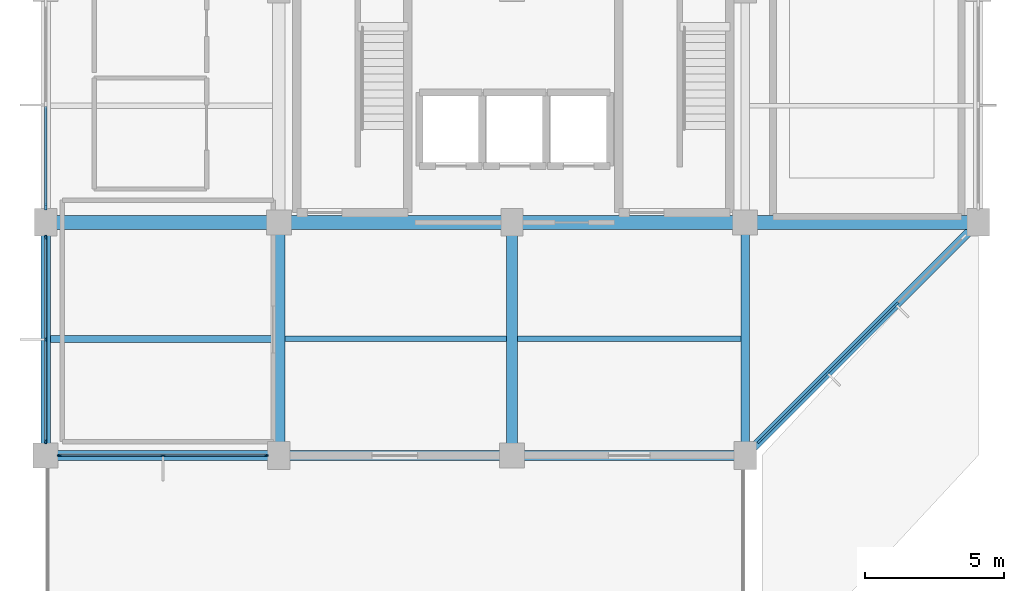
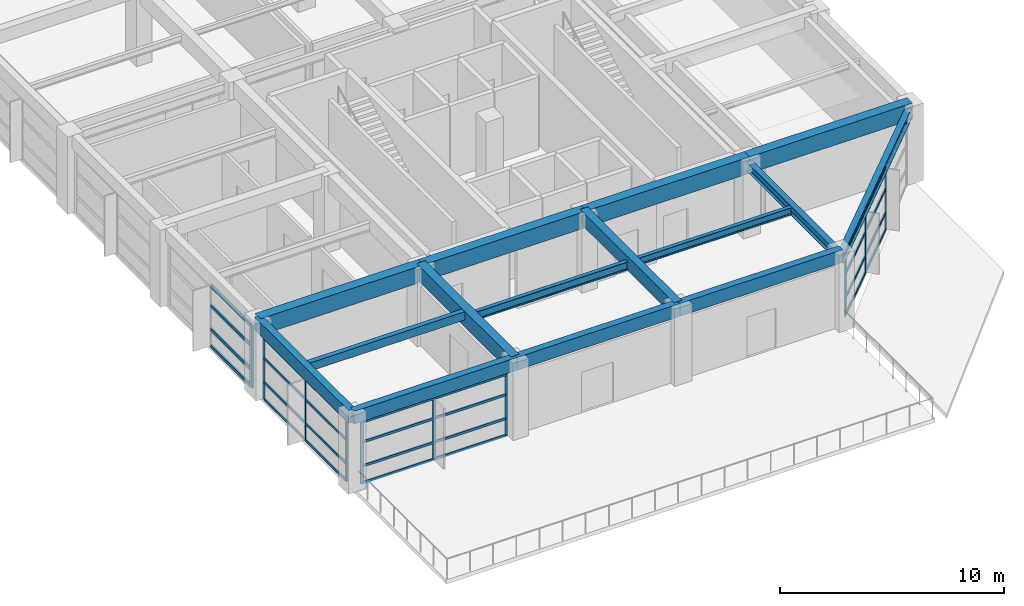
# One storey, part 2 of 11: 38 members, 15 beams, 4 elements without a shape of their own.
"""IFC4 building model written with IfcOpenShell, lengths in metres."""

from ifc_helpers import new_model, si_unit, direction, frame, origin, origin_2d, place, context, subcontext, project, spatial, rectangle, i_section, extrude, material, material_profile, profile_set, type_object, element, aggregate, save


model = new_model("IFC4")

# Units and contexts
model_context = context("Model", 3, precision=1e-05, world=origin(), true_north=direction((0.0, 1.0)))
body_context = subcontext(model_context, "Body", "Model", "MODEL_VIEW")
ifc_project = project(units=[si_unit("LENGTHUNIT", "METRE"), si_unit("AREAUNIT", "SQUARE_METRE"), si_unit("VOLUMEUNIT", "CUBIC_METRE"), si_unit("PLANEANGLEUNIT", "RADIAN"), si_unit("MASSUNIT", "GRAM", prefix="KILO")], contexts=[model_context])

# Site, building, storey
site_placement = place(None, origin())
site = spatial("IfcSite", under=ifc_project, at=site_placement, CompositionType="ELEMENT")
building_placement = place(site_placement, origin())
building = spatial("IfcBuilding", under=site, at=building_placement, Name="Xuanlan Plaza Opera House", CompositionType="ELEMENT")
storey_placement = place(building_placement, frame((0.0, 0.0, 57.300048828125)))
storey = spatial("IfcBuildingStorey", under=building, at=storey_placement, Name="L13", CompositionType="ELEMENT", Elevation=57.300048828125)

# Curtain wall, members
ifc_material_1 = material(Name="Anodised Aluminium 6063-T6 and Low-E Glass", Category="aluminium")
curtain_wall_type_1 = type_object("IfcCurtainWallType", Name="ENV-CW-CW-04", PredefinedType="USERDEFINED", material=ifc_material_1)
curtain_wall_1_placement = place(storey_placement, origin())
curtain_wall_1 = element("IfcCurtainWall", 1, at=curtain_wall_1_placement, inside=storey, type_object=curtain_wall_type_1, Name="Unitised Curtain Wall L13-001", ObjectType="UNITISED CURTAIN WALL", PredefinedType="USERDEFINED")
ifc_material_2 = material(Name="Anodised Aluminium 6063-T6", Category="aluminium")
ifc_material_profile_1 = material_profile(ifc_material_2, rectangle(XDim=0.06494140625, YDim=0.159912109375, at=origin_2d()), Name="ALU-M 65x160")
ifc_profile_set_1 = profile_set([ifc_material_profile_1], Name="Anodised Aluminium 6063-T6")
member_type_1 = type_object("IfcMemberType", Name="ENV-CWM-01", PredefinedType="MULLION", material=ifc_profile_set_1)
member_1_placement = place(storey_placement, frame((126.50244140625, 42.0, 0.0), z_axis=(0.0, 0.0, 1.0), x_axis=(0.0, 1.0, 0.0)))
member_1 = element("IfcMember", 2, at=member_1_placement, type_object=member_type_1, Name="CW-04 mullion 1", PredefinedType="MULLION", context=body_context, shape_type="SweptSolid", body=[
    extrude(rectangle(XDim=0.06494140625, YDim=0.159912109375, at=origin_2d()), origin(), (0.0, 0.0, 1.0), 3.3798828125),
])
member_2_placement = place(storey_placement, frame((130.22509765625, 42.0, 0.0), z_axis=(0.0, 0.0, 1.0), x_axis=(0.0, 1.0, 0.0)))
member_2 = element("IfcMember", 3, at=member_2_placement, type_object=member_type_1, Name="CW-04 mullion 2", PredefinedType="MULLION", context=body_context, shape_type="SweptSolid", body=[
    extrude(rectangle(XDim=0.06494140625, YDim=0.159912109375, at=origin_2d()), origin(), (0.0, 0.0, 1.0), 3.3798828125),
])
member_3_placement = place(storey_placement, frame((133.947509765625, 42.0, 0.0), z_axis=(0.0, 0.0, 1.0), x_axis=(0.0, 1.0, 0.0)))
member_3 = element("IfcMember", 4, at=member_3_placement, type_object=member_type_1, Name="CW-04 mullion 3", PredefinedType="MULLION", context=body_context, shape_type="SweptSolid", body=[
    extrude(rectangle(XDim=0.06494140625, YDim=0.159912109375, at=origin_2d()), origin(), (0.0, 0.0, 1.0), 3.3798828125),
])

curtain_wall_type_2 = type_object("IfcCurtainWallType", Name="ENV-CW-CW-03", PredefinedType="USERDEFINED", material=ifc_material_1)
curtain_wall_2_placement = place(storey_placement, origin())
curtain_wall_2 = element("IfcCurtainWall", 5, at=curtain_wall_2_placement, inside=storey, type_object=curtain_wall_type_2, Name="Unitised Curtain Wall L13-016", ObjectType="UNITISED CURTAIN WALL", PredefinedType="USERDEFINED")
member_4_placement = place(storey_placement, frame((126.0, 49.847412109375, 0.0), z_axis=(0.0, 0.0, 1.0), x_axis=(1.0, 0.0, 0.0)))
member_4 = element("IfcMember", 6, at=member_4_placement, type_object=member_type_1, Name="CW-03 mullion 1", PredefinedType="MULLION", context=body_context, shape_type="SweptSolid", body=[
    extrude(rectangle(XDim=0.06494140625, YDim=0.159912109375, at=origin_2d()), origin(), (0.0, 0.0, 1.0), 3.3798828125),
])
member_5_placement = place(storey_placement, frame((126.0, 46.175048828125, 0.0), z_axis=(0.0, 0.0, 1.0), x_axis=(1.0, 0.0, 0.0)))
member_5 = element("IfcMember", 7, at=member_5_placement, type_object=member_type_1, Name="CW-03 mullion 2", PredefinedType="MULLION", context=body_context, shape_type="SweptSolid", body=[
    extrude(rectangle(XDim=0.06494140625, YDim=0.159912109375, at=origin_2d()), origin(), (0.0, 0.0, 1.0), 3.3798828125),
])
member_6_placement = place(storey_placement, frame((126.0, 42.50244140625, 0.0), z_axis=(0.0, 0.0, 1.0), x_axis=(1.0, 0.0, 0.0)))
member_6 = element("IfcMember", 8, at=member_6_placement, type_object=member_type_1, Name="CW-03 mullion 3", PredefinedType="MULLION", context=body_context, shape_type="SweptSolid", body=[
    extrude(rectangle(XDim=0.06494140625, YDim=0.159912109375, at=origin_2d()), origin(), (0.0, 0.0, 1.0), 3.3798828125),
])

curtain_wall_3_placement = place(storey_placement, origin())
curtain_wall_3 = element("IfcCurtainWall", 9, at=curtain_wall_3_placement, inside=storey, type_object=curtain_wall_type_2, Name="Unitised Curtain Wall L13-004", ObjectType="UNITISED CURTAIN WALL", PredefinedType="USERDEFINED")
ifc_material_profile_2 = material_profile(ifc_material_2, rectangle(XDim=0.080078125, YDim=0.219970703125, at=origin_2d()), Name="ALU-M 80x220")
ifc_profile_set_2 = profile_set([ifc_material_profile_2], Name="Anodised Aluminium 6063-T6")
member_type_2 = type_object("IfcMemberType", Name="ENV-CWM-04", PredefinedType="MULLION", material=ifc_profile_set_2)
member_7_placement = place(storey_placement, frame((151.727294921875, 42.52734375, 0.0), z_axis=(0.0, 0.0, 1.0), x_axis=(-0.707106781187, 0.707106781187, 0.0)))
member_7 = element("IfcMember", 10, at=member_7_placement, type_object=member_type_2, Name="CW-03 mullion 1", PredefinedType="MULLION", context=body_context, shape_type="SweptSolid", body=[
    extrude(rectangle(XDim=0.080078125, YDim=0.219970703125, at=origin_2d()), origin(), (0.0, 0.0, 1.0), 3.3798828125),
])
member_8_placement = place(storey_placement, frame((154.166259765625, 44.96630859375, 0.0), z_axis=(0.0, 0.0, 1.0), x_axis=(-0.707106781187, 0.707106781187, 0.0)))
member_8 = element("IfcMember", 11, at=member_8_placement, type_object=member_type_2, Name="CW-03 mullion 2", PredefinedType="MULLION", context=body_context, shape_type="SweptSolid", body=[
    extrude(rectangle(XDim=0.080078125, YDim=0.219970703125, at=origin_2d()), origin(), (0.0, 0.0, 1.0), 3.3798828125),
])
member_9_placement = place(storey_placement, frame((156.633544921875, 47.43359375, 0.0), z_axis=(0.0, 0.0, 1.0), x_axis=(-0.707106781187, 0.707106781187, 0.0)))
member_9 = element("IfcMember", 12, at=member_9_placement, type_object=member_type_2, Name="CW-03 mullion 3", PredefinedType="MULLION", context=body_context, shape_type="SweptSolid", body=[
    extrude(rectangle(XDim=0.080078125, YDim=0.219970703125, at=origin_2d()), origin(), (0.0, 0.0, 1.0), 3.3798828125),
])

# Curtain wall, member
curtain_wall_type_3 = type_object("IfcCurtainWallType", Name="ENV-CW-CW-02", PredefinedType="USERDEFINED", material=ifc_material_1)
curtain_wall_4_placement = place(storey_placement, origin())
curtain_wall_4 = element("IfcCurtainWall", 13, at=curtain_wall_4_placement, inside=storey, type_object=curtain_wall_type_3, Name="Unitised Curtain Wall L13-015", ObjectType="UNITISED CURTAIN WALL", PredefinedType="USERDEFINED")
ifc_material_profile_3 = material_profile(ifc_material_2, rectangle(XDim=0.090087890625, YDim=0.25, at=origin_2d()), Name="ALU-M 90x250")
ifc_profile_set_3 = profile_set([ifc_material_profile_3], Name="Anodised Aluminium 6063-T6")
member_type_3 = type_object("IfcMemberType", Name="ENV-CWM-05", PredefinedType="MULLION", material=ifc_profile_set_3)
member_10_placement = place(storey_placement, frame((126.0, 50.965087890625, 0.0), z_axis=(0.0, 0.0, 1.0), x_axis=(1.0, 0.0, 0.0)))
member_10 = element("IfcMember", 14, at=member_10_placement, type_object=member_type_3, Name="CW-02 mullion 3", PredefinedType="MULLION", context=body_context, shape_type="SweptSolid", body=[
    extrude(rectangle(XDim=0.090087890625, YDim=0.25, at=origin_2d()), origin(), (0.0, 0.0, 1.0), 3.3798828125),
])

# Member
ifc_material_profile_4 = material_profile(ifc_material_2, rectangle(XDim=0.070068359375, YDim=0.135009765625, at=origin_2d()), Name="ALU-T 70x135")
ifc_profile_set_4 = profile_set([ifc_material_profile_4], Name="Anodised Aluminium 6063-T6")
member_type_4 = type_object("IfcMemberType", Name="ENV-CWT-02", PredefinedType="USERDEFINED", material=ifc_profile_set_4)
member_11_placement = place(storey_placement, frame((126.534912109375, 42.0, 0.034912109375), z_axis=(1.0, 0.0, 0.0), x_axis=(0.0, 1.0, 0.0)))
member_11 = element("IfcMember", 15, at=member_11_placement, type_object=member_type_4, Name="CW-04 transom 1.1", ObjectType="TRANSOM", PredefinedType="USERDEFINED", context=body_context, shape_type="SweptSolid", body=[
    extrude(rectangle(XDim=0.070068359375, YDim=0.135009765625, at=origin_2d()), origin(), (0.0, 0.0, 1.0), 3.657470703125),
])

member_12_placement = place(storey_placement, frame((126.534912109375, 42.0, 0.949951171875), z_axis=(1.0, 0.0, 0.0), x_axis=(0.0, 1.0, 0.0)))
member_12 = element("IfcMember", 16, at=member_12_placement, type_object=member_type_4, Name="CW-04 transom 1.2", ObjectType="TRANSOM", PredefinedType="USERDEFINED", context=body_context, shape_type="SweptSolid", body=[
    extrude(rectangle(XDim=0.070068359375, YDim=0.135009765625, at=origin_2d()), origin(), (0.0, 0.0, 1.0), 3.657470703125),
])

member_13_placement = place(storey_placement, frame((126.534912109375, 42.0, 2.25), z_axis=(1.0, 0.0, 0.0), x_axis=(0.0, 1.0, 0.0)))
member_13 = element("IfcMember", 17, at=member_13_placement, type_object=member_type_4, Name="CW-04 transom 1.3", ObjectType="TRANSOM", PredefinedType="USERDEFINED", context=body_context, shape_type="SweptSolid", body=[
    extrude(rectangle(XDim=0.070068359375, YDim=0.135009765625, at=origin_2d()), origin(), (0.0, 0.0, 1.0), 3.657470703125),
])

member_14_placement = place(storey_placement, frame((126.534912109375, 42.0, 3.344970703125), z_axis=(1.0, 0.0, 0.0), x_axis=(0.0, 1.0, 0.0)))
member_14 = element("IfcMember", 18, at=member_14_placement, type_object=member_type_4, Name="CW-04 transom 1.4", ObjectType="TRANSOM", PredefinedType="USERDEFINED", context=body_context, shape_type="SweptSolid", body=[
    extrude(rectangle(XDim=0.070068359375, YDim=0.135009765625, at=origin_2d()), origin(), (0.0, 0.0, 1.0), 3.657470703125),
])

member_15_placement = place(storey_placement, frame((130.257568359375, 42.0, 0.034912109375), z_axis=(1.0, 0.0, 0.0), x_axis=(0.0, 1.0, 0.0)))
member_15 = element("IfcMember", 19, at=member_15_placement, type_object=member_type_4, Name="CW-04 transom 2.1", ObjectType="TRANSOM", PredefinedType="USERDEFINED", context=body_context, shape_type="SweptSolid", body=[
    extrude(rectangle(XDim=0.070068359375, YDim=0.135009765625, at=origin_2d()), origin(), (0.0, 0.0, 1.0), 3.657470703125),
])

member_16_placement = place(storey_placement, frame((130.257568359375, 42.0, 0.949951171875), z_axis=(1.0, 0.0, 0.0), x_axis=(0.0, 1.0, 0.0)))
member_16 = element("IfcMember", 20, at=member_16_placement, type_object=member_type_4, Name="CW-04 transom 2.2", ObjectType="TRANSOM", PredefinedType="USERDEFINED", context=body_context, shape_type="SweptSolid", body=[
    extrude(rectangle(XDim=0.070068359375, YDim=0.135009765625, at=origin_2d()), origin(), (0.0, 0.0, 1.0), 3.657470703125),
])

member_17_placement = place(storey_placement, frame((130.257568359375, 42.0, 2.25), z_axis=(1.0, 0.0, 0.0), x_axis=(0.0, 1.0, 0.0)))
member_17 = element("IfcMember", 21, at=member_17_placement, type_object=member_type_4, Name="CW-04 transom 2.3", ObjectType="TRANSOM", PredefinedType="USERDEFINED", context=body_context, shape_type="SweptSolid", body=[
    extrude(rectangle(XDim=0.070068359375, YDim=0.135009765625, at=origin_2d()), origin(), (0.0, 0.0, 1.0), 3.657470703125),
])

member_18_placement = place(storey_placement, frame((130.257568359375, 42.0, 3.344970703125), z_axis=(1.0, 0.0, 0.0), x_axis=(0.0, 1.0, 0.0)))
member_18 = element("IfcMember", 22, at=member_18_placement, type_object=member_type_4, Name="CW-04 transom 2.4", ObjectType="TRANSOM", PredefinedType="USERDEFINED", context=body_context, shape_type="SweptSolid", body=[
    extrude(rectangle(XDim=0.070068359375, YDim=0.135009765625, at=origin_2d()), origin(), (0.0, 0.0, 1.0), 3.657470703125),
])

aggregate(curtain_wall_1, [member_1, member_2, member_3, member_11, member_12, member_13, member_14, member_15, member_16, member_17, member_18])

member_19_placement = place(storey_placement, frame((126.0, 49.81494140625, 0.034912109375), z_axis=(0.0, -1.0, 0.0), x_axis=(1.0, 0.0, 0.0)))
member_19 = element("IfcMember", 23, at=member_19_placement, type_object=member_type_4, Name="CW-03 transom 1.1", ObjectType="TRANSOM", PredefinedType="USERDEFINED", context=body_context, shape_type="SweptSolid", body=[
    extrude(rectangle(XDim=0.070068359375, YDim=0.135009765625, at=origin_2d()), origin(), (0.0, 0.0, 1.0), 3.607421875),
])

member_20_placement = place(storey_placement, frame((126.0, 49.81494140625, 0.949951171875), z_axis=(0.0, -1.0, 0.0), x_axis=(1.0, 0.0, 0.0)))
member_20 = element("IfcMember", 24, at=member_20_placement, type_object=member_type_4, Name="CW-03 transom 1.2", ObjectType="TRANSOM", PredefinedType="USERDEFINED", context=body_context, shape_type="SweptSolid", body=[
    extrude(rectangle(XDim=0.070068359375, YDim=0.135009765625, at=origin_2d()), origin(), (0.0, 0.0, 1.0), 3.607421875),
])

member_21_placement = place(storey_placement, frame((126.0, 49.81494140625, 2.25), z_axis=(0.0, -1.0, 0.0), x_axis=(1.0, 0.0, 0.0)))
member_21 = element("IfcMember", 25, at=member_21_placement, type_object=member_type_4, Name="CW-03 transom 1.3", ObjectType="TRANSOM", PredefinedType="USERDEFINED", context=body_context, shape_type="SweptSolid", body=[
    extrude(rectangle(XDim=0.070068359375, YDim=0.135009765625, at=origin_2d()), origin(), (0.0, 0.0, 1.0), 3.607421875),
])

member_22_placement = place(storey_placement, frame((126.0, 49.81494140625, 3.344970703125), z_axis=(0.0, -1.0, 0.0), x_axis=(1.0, 0.0, 0.0)))
member_22 = element("IfcMember", 26, at=member_22_placement, type_object=member_type_4, Name="CW-03 transom 1.4", ObjectType="TRANSOM", PredefinedType="USERDEFINED", context=body_context, shape_type="SweptSolid", body=[
    extrude(rectangle(XDim=0.070068359375, YDim=0.135009765625, at=origin_2d()), origin(), (0.0, 0.0, 1.0), 3.607421875),
])

member_23_placement = place(storey_placement, frame((126.0, 46.142578125, 0.034912109375), z_axis=(0.0, -1.0, 0.0), x_axis=(1.0, 0.0, 0.0)))
member_23 = element("IfcMember", 27, at=member_23_placement, type_object=member_type_4, Name="CW-03 transom 2.1", ObjectType="TRANSOM", PredefinedType="USERDEFINED", context=body_context, shape_type="SweptSolid", body=[
    extrude(rectangle(XDim=0.070068359375, YDim=0.135009765625, at=origin_2d()), origin(), (0.0, 0.0, 1.0), 3.607666015625),
])

member_24_placement = place(storey_placement, frame((126.0, 46.142578125, 0.949951171875), z_axis=(0.0, -1.0, 0.0), x_axis=(1.0, 0.0, 0.0)))
member_24 = element("IfcMember", 28, at=member_24_placement, type_object=member_type_4, Name="CW-03 transom 2.2", ObjectType="TRANSOM", PredefinedType="USERDEFINED", context=body_context, shape_type="SweptSolid", body=[
    extrude(rectangle(XDim=0.070068359375, YDim=0.135009765625, at=origin_2d()), origin(), (0.0, 0.0, 1.0), 3.607666015625),
])

member_25_placement = place(storey_placement, frame((126.0, 46.142578125, 2.25), z_axis=(0.0, -1.0, 0.0), x_axis=(1.0, 0.0, 0.0)))
member_25 = element("IfcMember", 29, at=member_25_placement, type_object=member_type_4, Name="CW-03 transom 2.3", ObjectType="TRANSOM", PredefinedType="USERDEFINED", context=body_context, shape_type="SweptSolid", body=[
    extrude(rectangle(XDim=0.070068359375, YDim=0.135009765625, at=origin_2d()), origin(), (0.0, 0.0, 1.0), 3.607666015625),
])

member_26_placement = place(storey_placement, frame((126.0, 46.142578125, 3.344970703125), z_axis=(0.0, -1.0, 0.0), x_axis=(1.0, 0.0, 0.0)))
member_26 = element("IfcMember", 30, at=member_26_placement, type_object=member_type_4, Name="CW-03 transom 2.4", ObjectType="TRANSOM", PredefinedType="USERDEFINED", context=body_context, shape_type="SweptSolid", body=[
    extrude(rectangle(XDim=0.070068359375, YDim=0.135009765625, at=origin_2d()), origin(), (0.0, 0.0, 1.0), 3.607666015625),
])

aggregate(curtain_wall_2, [member_4, member_5, member_6, member_19, member_20, member_21, member_22, member_23, member_24, member_25, member_26])

ifc_material_profile_5 = material_profile(ifc_material_2, rectangle(XDim=0.074951171875, YDim=0.14990234375, at=origin_2d()), Name="ALU-T 75x150")
ifc_profile_set_5 = profile_set([ifc_material_profile_5], Name="Anodised Aluminium 6063-T6")
member_type_5 = type_object("IfcMemberType", Name="ENV-CWT-03", PredefinedType="USERDEFINED", material=ifc_profile_set_5)
member_27_placement = place(storey_placement, frame((151.755615234375, 42.5556640625, 0.037353515625), z_axis=(0.707106781187, 0.707106781187, 0.0), x_axis=(-0.707106781187, 0.707106781187, 0.0)))
member_27 = element("IfcMember", 31, at=member_27_placement, type_object=member_type_5, Name="CW-03 transom 1.1", ObjectType="TRANSOM", PredefinedType="USERDEFINED", context=body_context, shape_type="SweptSolid", body=[
    extrude(rectangle(XDim=0.074951171875, YDim=0.14990234375, at=origin_2d()), origin(), (0.0, 0.0, 1.0), 3.369140625),
])

member_28_placement = place(storey_placement, frame((151.755615234375, 42.5556640625, 0.949951171875), z_axis=(0.707106781187, 0.707106781187, 0.0), x_axis=(-0.707106781187, 0.707106781187, 0.0)))
member_28 = element("IfcMember", 32, at=member_28_placement, type_object=member_type_5, Name="CW-03 transom 1.2", ObjectType="TRANSOM", PredefinedType="USERDEFINED", context=body_context, shape_type="SweptSolid", body=[
    extrude(rectangle(XDim=0.074951171875, YDim=0.14990234375, at=origin_2d()), origin(), (0.0, 0.0, 1.0), 3.369140625),
])

member_29_placement = place(storey_placement, frame((151.755615234375, 42.5556640625, 2.25), z_axis=(0.707106781187, 0.707106781187, 0.0), x_axis=(-0.707106781187, 0.707106781187, 0.0)))
member_29 = element("IfcMember", 33, at=member_29_placement, type_object=member_type_5, Name="CW-03 transom 1.3", ObjectType="TRANSOM", PredefinedType="USERDEFINED", context=body_context, shape_type="SweptSolid", body=[
    extrude(rectangle(XDim=0.074951171875, YDim=0.14990234375, at=origin_2d()), origin(), (0.0, 0.0, 1.0), 3.369140625),
])

member_30_placement = place(storey_placement, frame((151.755615234375, 42.5556640625, 3.342529296875), z_axis=(0.707106781187, 0.707106781187, 0.0), x_axis=(-0.707106781187, 0.707106781187, 0.0)))
member_30 = element("IfcMember", 34, at=member_30_placement, type_object=member_type_5, Name="CW-03 transom 1.4", ObjectType="TRANSOM", PredefinedType="USERDEFINED", context=body_context, shape_type="SweptSolid", body=[
    extrude(rectangle(XDim=0.074951171875, YDim=0.14990234375, at=origin_2d()), origin(), (0.0, 0.0, 1.0), 3.369140625),
])

member_31_placement = place(storey_placement, frame((154.194580078125, 44.99462890625, 0.037353515625), z_axis=(0.707142584968, 0.707070975592, 0.0), x_axis=(-0.707070975592, 0.707142584968, 0.0)))
member_31 = element("IfcMember", 35, at=member_31_placement, type_object=member_type_5, Name="CW-03 transom 2.1", ObjectType="TRANSOM", PredefinedType="USERDEFINED", context=body_context, shape_type="SweptSolid", body=[
    extrude(rectangle(XDim=0.074951171875, YDim=0.14990234375, at=origin_2d()), origin(), (0.0, 0.0, 1.0), 3.409423828125),
])

member_32_placement = place(storey_placement, frame((154.194580078125, 44.99462890625, 0.949951171875), z_axis=(0.707142584968, 0.707070975592, 0.0), x_axis=(-0.707070975592, 0.707142584968, 0.0)))
member_32 = element("IfcMember", 36, at=member_32_placement, type_object=member_type_5, Name="CW-03 transom 2.2", ObjectType="TRANSOM", PredefinedType="USERDEFINED", context=body_context, shape_type="SweptSolid", body=[
    extrude(rectangle(XDim=0.074951171875, YDim=0.14990234375, at=origin_2d()), origin(), (0.0, 0.0, 1.0), 3.409423828125),
])

member_33_placement = place(storey_placement, frame((154.194580078125, 44.99462890625, 2.25), z_axis=(0.707142584968, 0.707070975592, 0.0), x_axis=(-0.707070975592, 0.707142584968, 0.0)))
member_33 = element("IfcMember", 37, at=member_33_placement, type_object=member_type_5, Name="CW-03 transom 2.3", ObjectType="TRANSOM", PredefinedType="USERDEFINED", context=body_context, shape_type="SweptSolid", body=[
    extrude(rectangle(XDim=0.074951171875, YDim=0.14990234375, at=origin_2d()), origin(), (0.0, 0.0, 1.0), 3.409423828125),
])

member_34_placement = place(storey_placement, frame((154.194580078125, 44.99462890625, 3.342529296875), z_axis=(0.707142584968, 0.707070975592, 0.0), x_axis=(-0.707070975592, 0.707142584968, 0.0)))
member_34 = element("IfcMember", 38, at=member_34_placement, type_object=member_type_5, Name="CW-03 transom 2.4", ObjectType="TRANSOM", PredefinedType="USERDEFINED", context=body_context, shape_type="SweptSolid", body=[
    extrude(rectangle(XDim=0.074951171875, YDim=0.14990234375, at=origin_2d()), origin(), (0.0, 0.0, 1.0), 3.409423828125),
])

aggregate(curtain_wall_3, [member_7, member_8, member_9, member_27, member_28, member_29, member_30, member_31, member_32, member_33, member_34])

ifc_material_profile_6 = material_profile(ifc_material_2, rectangle(XDim=0.090087890625, YDim=0.179931640625, at=origin_2d()), Name="ALU-T 90x180")
ifc_profile_set_6 = profile_set([ifc_material_profile_6], Name="Anodised Aluminium 6063-T6")
member_type_6 = type_object("IfcMemberType", Name="ENV-CWT-05", PredefinedType="USERDEFINED", material=ifc_profile_set_6)
member_35_placement = place(storey_placement, frame((126.0, 54.580078125, 0.044921875), z_axis=(0.0, -1.0, 0.0), x_axis=(1.0, 0.0, 0.0)))
member_35 = element("IfcMember", 39, at=member_35_placement, type_object=member_type_6, Name="CW-02 transom 2.1", ObjectType="TRANSOM", PredefinedType="USERDEFINED", context=body_context, shape_type="SweptSolid", body=[
    extrude(rectangle(XDim=0.090087890625, YDim=0.179931640625, at=origin_2d()), origin(), (0.0, 0.0, 1.0), 3.570068359375),
])

member_36_placement = place(storey_placement, frame((126.0, 54.580078125, 0.949951171875), z_axis=(0.0, -1.0, 0.0), x_axis=(1.0, 0.0, 0.0)))
member_36 = element("IfcMember", 40, at=member_36_placement, type_object=member_type_6, Name="CW-02 transom 2.2", ObjectType="TRANSOM", PredefinedType="USERDEFINED", context=body_context, shape_type="SweptSolid", body=[
    extrude(rectangle(XDim=0.090087890625, YDim=0.179931640625, at=origin_2d()), origin(), (0.0, 0.0, 1.0), 3.570068359375),
])

member_37_placement = place(storey_placement, frame((126.0, 54.580078125, 2.25), z_axis=(0.0, -1.0, 0.0), x_axis=(1.0, 0.0, 0.0)))
member_37 = element("IfcMember", 41, at=member_37_placement, type_object=member_type_6, Name="CW-02 transom 2.3", ObjectType="TRANSOM", PredefinedType="USERDEFINED", context=body_context, shape_type="SweptSolid", body=[
    extrude(rectangle(XDim=0.090087890625, YDim=0.179931640625, at=origin_2d()), origin(), (0.0, 0.0, 1.0), 3.570068359375),
])

member_38_placement = place(storey_placement, frame((126.0, 54.580078125, 3.3349609375), z_axis=(0.0, -1.0, 0.0), x_axis=(1.0, 0.0, 0.0)))
member_38 = element("IfcMember", 42, at=member_38_placement, type_object=member_type_6, Name="CW-02 transom 2.4", ObjectType="TRANSOM", PredefinedType="USERDEFINED", context=body_context, shape_type="SweptSolid", body=[
    extrude(rectangle(XDim=0.090087890625, YDim=0.179931640625, at=origin_2d()), origin(), (0.0, 0.0, 1.0), 3.570068359375),
])

aggregate(curtain_wall_4, [member_10, member_35, member_36, member_37, member_38])

# Beams
ifc_material_3 = material(Name="Concrete C40", Category="concrete")
ifc_material_profile_7 = material_profile(ifc_material_3, rectangle(XDim=0.5, YDim=0.89990234375, at=origin_2d()), Name="RC-BM 500x900")
ifc_profile_set_7 = profile_set([ifc_material_profile_7], Name="Concrete C40")
beam_type_1 = type_object("IfcBeamType", Name="STR-BM-B-03", PredefinedType="BEAM", material=ifc_profile_set_7)
beam_1_placement = place(storey_placement, frame((126.0, 50.39990234375, 3.75), z_axis=(1.0, 0.0, 0.0), x_axis=(0.0, 1.0, 0.0)))
element("IfcBeam", 43, at=beam_1_placement, inside=storey, type_object=beam_type_1, Name="Grid Beam X L13 16-17/G", PredefinedType="BEAM", context=body_context, shape_type="SweptSolid", body=[
    extrude(rectangle(XDim=0.5, YDim=0.89990234375, at=origin_2d()), origin(), (0.0, 0.0, 1.0), 8.39990234375),
])
beam_2_placement = place(storey_placement, frame((134.39990234375, 50.39990234375, 3.75), z_axis=(1.0, 0.0, 0.0), x_axis=(0.0, 1.0, 0.0)))
element("IfcBeam", 44, at=beam_2_placement, inside=storey, type_object=beam_type_1, Name="Grid Beam X L13 17-18/G", PredefinedType="BEAM", context=body_context, shape_type="SweptSolid", body=[
    extrude(rectangle(XDim=0.5, YDim=0.89990234375, at=origin_2d()), origin(), (0.0, 0.0, 1.0), 8.400146484375),
])
beam_3_placement = place(storey_placement, frame((142.800048828125, 50.39990234375, 3.75), z_axis=(1.0, 0.0, 0.0), x_axis=(0.0, 1.0, 0.0)))
element("IfcBeam", 45, at=beam_3_placement, inside=storey, type_object=beam_type_1, Name="Grid Beam X L13 18-19/G", PredefinedType="BEAM", context=body_context, shape_type="SweptSolid", body=[
    extrude(rectangle(XDim=0.5, YDim=0.89990234375, at=origin_2d()), origin(), (0.0, 0.0, 1.0), 8.39990234375),
])
beam_4_placement = place(storey_placement, frame((151.199951171875, 50.39990234375, 3.75), z_axis=(1.0, 0.0, 0.0), x_axis=(0.0, 1.0, 0.0)))
element("IfcBeam", 46, at=beam_4_placement, inside=storey, type_object=beam_type_1, Name="Grid Beam X L13 19-20/G", PredefinedType="BEAM", context=body_context, shape_type="SweptSolid", body=[
    extrude(rectangle(XDim=0.5, YDim=0.89990234375, at=origin_2d()), origin(), (0.0, 0.0, 1.0), 8.400146484375),
])
ifc_material_profile_8 = material_profile(ifc_material_3, rectangle(XDim=0.449951171875, YDim=0.85009765625, at=origin_2d()), Name="RC-BM 450x850")
ifc_profile_set_8 = profile_set([ifc_material_profile_8], Name="Concrete C40")
beam_type_2 = type_object("IfcBeamType", Name="STR-BM-B-04", PredefinedType="BEAM", material=ifc_profile_set_8)
beam_5_placement = place(storey_placement, frame((134.39990234375, 42.0, 3.77490234375), z_axis=(0.0, 1.0, 0.0), x_axis=(-1.0, 0.0, 0.0)))
element("IfcBeam", 47, at=beam_5_placement, inside=storey, type_object=beam_type_2, Name="Grid Beam Y L13 17/F-G", PredefinedType="BEAM", context=body_context, shape_type="SweptSolid", body=[
    extrude(rectangle(XDim=0.449951171875, YDim=0.85009765625, at=origin_2d()), origin(), (0.0, 0.0, 1.0), 8.39990234375),
])
ifc_material_profile_9 = material_profile(ifc_material_3, rectangle(XDim=0.39990234375, YDim=0.75, at=origin_2d()), Name="RC-BM 400x750")
ifc_profile_set_9 = profile_set([ifc_material_profile_9], Name="Concrete C40")
beam_type_3 = type_object("IfcBeamType", Name="STR-BM-B-06", PredefinedType="BEAM", material=ifc_profile_set_9)
beam_6_placement = place(storey_placement, frame((142.800048828125, 42.0, 3.824951171875), z_axis=(0.0, 1.0, 0.0), x_axis=(-1.0, 0.0, 0.0)))
element("IfcBeam", 48, at=beam_6_placement, inside=storey, type_object=beam_type_3, Name="Grid Beam Y L13 18/F-G", PredefinedType="BEAM", context=body_context, shape_type="SweptSolid", body=[
    extrude(rectangle(XDim=0.39990234375, YDim=0.75, at=origin_2d()), origin(), (0.0, 0.0, 1.0), 8.39990234375),
])
ifc_material_4 = material(Name="Steel Q355B", Category="steel")
ifc_material_profile_10 = material_profile(ifc_material_4, i_section(OverallWidth=0.199951171875, OverallDepth=0.449951171875, WebThickness=0.009033203125, FlangeThickness=0.013916015625, FilletRadius=0.01806640625, at=origin_2d()), Name="HN 450x200x9x14")
ifc_profile_set_10 = profile_set([ifc_material_profile_10], Name="Steel Q355B")
beam_type_4 = type_object("IfcBeamType", Name="STR-BM-J-01", PredefinedType="JOIST", material=ifc_profile_set_10)
beam_7_placement = place(storey_placement, frame((134.625, 46.199951171875, 3.72998046875), z_axis=(1.0, 0.0, 0.0), x_axis=(0.0, 1.0, 0.0)))
element("IfcBeam", 49, at=beam_7_placement, inside=storey, type_object=beam_type_4, Name="Heavy Floor Joist L13 17-18/Fm", PredefinedType="JOIST", context=body_context, shape_type="SweptSolid", body=[
    extrude(i_section(OverallWidth=0.199951171875, OverallDepth=0.449951171875, WebThickness=0.009033203125, FlangeThickness=0.013916015625, FilletRadius=0.01806640625, at=origin_2d()), origin(), (0.0, 0.0, 1.0), 7.97509765625),
])
ifc_material_profile_11 = material_profile(ifc_material_4, i_section(OverallWidth=0.199951171875, OverallDepth=0.39990234375, WebThickness=0.008056640625, FlangeThickness=0.012939453125, FilletRadius=0.01611328125, at=origin_2d()), Name="HN 400x200x8x13")
ifc_profile_set_11 = profile_set([ifc_material_profile_11], Name="Steel Q355B")
beam_type_5 = type_object("IfcBeamType", Name="STR-BM-J-02", PredefinedType="JOIST", material=ifc_profile_set_11)
beam_8_placement = place(storey_placement, frame((143.0, 46.199951171875, 3.7548828125), z_axis=(1.0, 0.0, 0.0), x_axis=(0.0, 1.0, 0.0)))
element("IfcBeam", 50, at=beam_8_placement, inside=storey, type_object=beam_type_5, Name="Heavy Floor Joist L13 18-19/Fm", PredefinedType="JOIST", context=body_context, shape_type="SweptSolid", body=[
    extrude(i_section(OverallWidth=0.199951171875, OverallDepth=0.39990234375, WebThickness=0.008056640625, FlangeThickness=0.012939453125, FilletRadius=0.01611328125, at=origin_2d()), origin(), (0.0, 0.0, 1.0), 8.050048828125),
])
ifc_material_profile_12 = material_profile(ifc_material_3, rectangle(XDim=0.25, YDim=0.449951171875, at=origin_2d()), Name="RC-JST 250x450")
ifc_profile_set_12 = profile_set([ifc_material_profile_12], Name="Concrete C40")
beam_type_6 = type_object("IfcBeamType", Name="STR-BM-J-07", PredefinedType="JOIST", material=ifc_profile_set_12)
beam_9_placement = place(storey_placement, frame((126.175048828125, 46.199951171875, 3.974853515625), z_axis=(1.0, 0.0, 0.0), x_axis=(0.0, 1.0, 0.0)))
element("IfcBeam", 51, at=beam_9_placement, inside=storey, type_object=beam_type_6, Name="Heavy Floor Joist L13 16-17/Fm", PredefinedType="JOIST", context=body_context, shape_type="SweptSolid", body=[
    extrude(rectangle(XDim=0.25, YDim=0.449951171875, at=origin_2d()), origin(), (0.0, 0.0, 1.0), 8.0),
])
ifc_material_profile_13 = material_profile(ifc_material_4, i_section(OverallWidth=0.300048828125, OverallDepth=0.488037109375, WebThickness=0.010986328125, FlangeThickness=0.01806640625, FilletRadius=0.02197265625, at=origin_2d()), Name="HM 488x300x11x18")
ifc_profile_set_13 = profile_set([ifc_material_profile_13], Name="Steel Q355B")
beam_type_7 = type_object("IfcBeamType", Name="STR-BM-SB-07", PredefinedType="BEAM", material=ifc_profile_set_13)
beam_10_placement = place(storey_placement, frame((151.199951171875, 42.0, 3.7109375), z_axis=(0.0, 1.0, 0.0), x_axis=(-1.0, 0.0, 0.0)))
element("IfcBeam", 52, at=beam_10_placement, inside=storey, type_object=beam_type_7, Name="Grid Beam Y L13 19/F-G", PredefinedType="BEAM", context=body_context, shape_type="SweptSolid", body=[
    extrude(i_section(OverallWidth=0.300048828125, OverallDepth=0.488037109375, WebThickness=0.010986328125, FlangeThickness=0.01806640625, FilletRadius=0.02197265625, at=origin_2d()), origin(), (0.0, 0.0, 1.0), 8.39990234375),
])
ifc_material_profile_14 = material_profile(ifc_material_3, rectangle(XDim=0.35009765625, YDim=0.699951171875, at=origin_2d()), Name="RC-SPD 350x700")
ifc_profile_set_14 = profile_set([ifc_material_profile_14], Name="Concrete C40")
beam_type_8 = type_object("IfcBeamType", Name="STR-BM-SP-02", PredefinedType="SPANDREL", material=ifc_profile_set_14)
beam_11_placement = place(storey_placement, frame((126.0, 42.0, 3.849853515625), z_axis=(1.0, 0.0, 0.0), x_axis=(0.0, 1.0, 0.0)))
element("IfcBeam", 53, at=beam_11_placement, inside=storey, type_object=beam_type_8, Name="Grid Beam X L13 16-17/F", PredefinedType="SPANDREL", context=body_context, shape_type="SweptSolid", body=[
    extrude(rectangle(XDim=0.35009765625, YDim=0.699951171875, at=origin_2d()), origin(), (0.0, 0.0, 1.0), 8.39990234375),
])
beam_12_placement = place(storey_placement, frame((134.39990234375, 42.0, 3.849853515625), z_axis=(1.0, 0.0, 0.0), x_axis=(0.0, 1.0, 0.0)))
element("IfcBeam", 54, at=beam_12_placement, inside=storey, type_object=beam_type_8, Name="Grid Beam X L13 17-18/F", PredefinedType="SPANDREL", context=body_context, shape_type="SweptSolid", body=[
    extrude(rectangle(XDim=0.35009765625, YDim=0.699951171875, at=origin_2d()), origin(), (0.0, 0.0, 1.0), 8.400146484375),
])
for number, where, z_axis, x_axis, name in (
    (55, (142.800048828125, 42.0, 3.849853515625), (1.0, 0.0, 0.0), (0.0, 1.0, 0.0), "Grid Beam X L13 18-19/F"),
    (56, (126.0, 42.0, 3.849853515625), (0.0, 1.0, 0.0), (-1.0, 0.0, 0.0), "Grid Beam Y L13 16/F-G"),
):
    element("IfcBeam", number, at=place(storey_placement, frame(where, z_axis=z_axis, x_axis=x_axis)), inside=storey, type_object=beam_type_8, Name=name, PredefinedType="SPANDREL", context=body_context, shape_type="SweptSolid", body=[
        extrude(rectangle(XDim=0.35009765625, YDim=0.699951171875, at=origin_2d()), origin(), (0.0, 0.0, 1.0), 8.39990234375),
    ])
ifc_material_profile_15 = material_profile(ifc_material_4, i_section(OverallWidth=0.300048828125, OverallDepth=0.587890625, WebThickness=0.011962890625, FlangeThickness=0.02001953125, FilletRadius=0.02392578125, at=origin_2d()), Name="HM 588x300x12x20")
ifc_profile_set_15 = profile_set([ifc_material_profile_15], Name="Steel Q355B")
beam_type_9 = type_object("IfcBeamType", Name="STR-BM-SP-03", PredefinedType="SPANDREL", material=ifc_profile_set_15)
beam_13_placement = place(storey_placement, frame((151.199951171875, 42.0, 3.660888671875), z_axis=(0.707117056885, 0.707096505339, 0.0), x_axis=(-0.707096505339, 0.707117056885, 0.0)))
element("IfcBeam", 57, at=beam_13_placement, inside=storey, type_object=beam_type_9, Name="Faceted Edge Spandrel L13 CH01", PredefinedType="SPANDREL", context=body_context, shape_type="SweptSolid", body=[
    extrude(i_section(OverallWidth=0.300048828125, OverallDepth=0.587890625, WebThickness=0.011962890625, FlangeThickness=0.02001953125, FilletRadius=0.02392578125, at=origin_2d()), origin(), (0.0, 0.0, 1.0), 11.87939453125),
])

save(model, "model.ifc")
